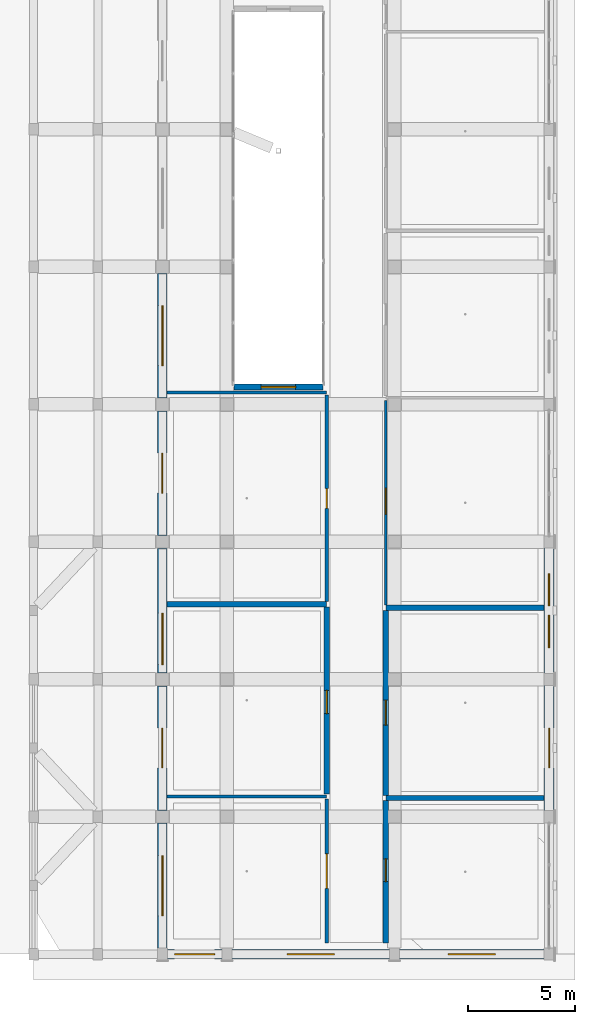
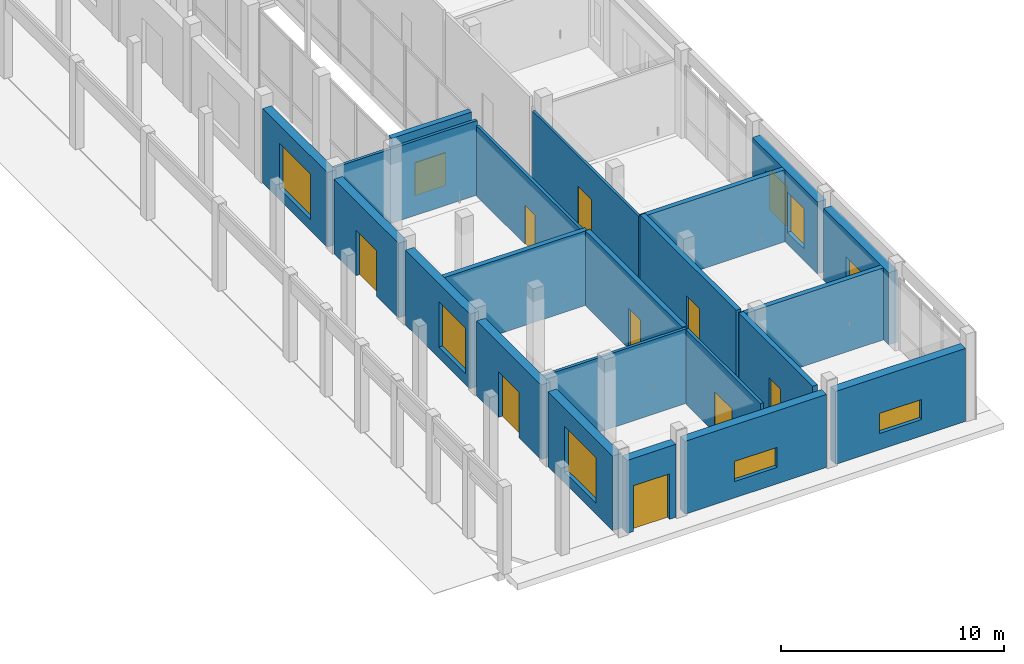
# One storey, part 52 of 88: 22 walls, 10 doors, 8 windows, 18 openings.
"""IFC4 building model written with IfcOpenShell, lengths in metres."""

import ifcopenshell
import ifcopenshell.guid

model = None  # the IFC model being written
_history = None  # IfcOwnerHistory: only IFC2X3 demands one
_inside = {}  # id of a spatial element -> (the spatial element, [elements in it])
_under = {}  # id of a project, library or spatial element -> (it, [spatial elements below it])
_declared = {}  # id of a project -> (the project, [libraries it declares])
_typed = {}  # id of a type object -> (the type object, [elements of that type])
_made_of = {}  # id of a material, layer set ... -> (it, [elements and type objects made of it])


def new_model(schema):
    """Start an empty IFC model of exactly this schema.

    Asked for "IFC4X3", IfcOpenShell would pick the latest addendum, in which some entities
    have other attributes; the version numbers below select the first issue.
    IFC2X3 requires an IfcOwnerHistory on every rooted entity: one is made here for all.
    """
    global model, _history
    if schema == "IFC4X3":
        model = ifcopenshell.file(schema_version=(4, 3, 0, 0))
    else:
        model = ifcopenshell.file(schema=schema)
    _inside.clear()
    _under.clear()
    _declared.clear()
    _typed.clear()
    _made_of.clear()
    _history = None
    if model.schema == "IFC2X3":
        org = make("IfcOrganization", Name="unknown")
        user = make(
            "IfcPersonAndOrganization",
            ThePerson=make("IfcPerson", FamilyName="unknown"),
            TheOrganization=org,
        )
        app = make(
            "IfcApplication",
            ApplicationDeveloper=org,
            Version="unknown",
            ApplicationFullName="unknown",
            ApplicationIdentifier="unknown",
        )
        _history = make(
            "IfcOwnerHistory",
            OwningUser=user,
            OwningApplication=app,
            ChangeAction="ADDED",
            CreationDate=0,
        )
    return model


def make(cls, **values):
    """One entity of the class cls with the attributes given. An attribute that is None is left unset."""
    return model.create_entity(
        cls, **{name: value for name, value in values.items() if value is not None}
    )


def rooted(cls, **values):
    """An entity with a GlobalId (a new one), such as an element, a storey or a relation."""
    return make(cls, GlobalId=ifcopenshell.guid.new(), OwnerHistory=_history, **values)


def si_unit(unit_type, name, prefix=None):
    """IfcSIUnit, for example si_unit("LENGTHUNIT", "METRE", prefix="MILLI")."""
    return make("IfcSIUnit", UnitType=unit_type, Prefix=prefix, Name=name)


def derived_unit(unit_type, elements):
    """IfcDerivedUnit: a product of units, each with its exponent."""
    return make(
        "IfcDerivedUnit",
        Elements=[
            make("IfcDerivedUnitElement", Unit=unit, Exponent=power)
            for unit, power in elements
        ],
        UnitType=unit_type,
    )


def assignment(units):
    """IfcUnitAssignment: the units of a project."""
    return None if units is None else make("IfcUnitAssignment", Units=units)


def point(xyz):
    """IfcCartesianPoint."""
    return None if xyz is None else make("IfcCartesianPoint", Coordinates=xyz)


def direction(xyz):
    """IfcDirection."""
    return None if xyz is None else make("IfcDirection", DirectionRatios=xyz)


def frame(location, z_axis=None, x_axis=None):
    """IfcAxis2Placement3D, a coordinate frame: its origin and axes. An axis left out is left unset."""
    return make(
        "IfcAxis2Placement3D",
        Location=point(location),
        Axis=direction(z_axis),
        RefDirection=direction(x_axis),
    )


def frame_2d(location, x_axis=None):
    """IfcAxis2Placement2D, a coordinate frame in the plane: its origin and x axis."""
    return make(
        "IfcAxis2Placement2D", Location=point(location), RefDirection=direction(x_axis)
    )


def origin():
    """The frame at (0, 0, 0) with its axes left unset."""
    return frame((0.0, 0.0, 0.0))


def origin_with_axes():
    """The frame at (0, 0, 0) with the z axis (0, 0, 1) and the x axis (1, 0, 0) written out."""
    return frame((0.0, 0.0, 0.0), z_axis=(0.0, 0.0, 1.0), x_axis=(1.0, 0.0, 0.0))


def place(relative_to, where):
    """IfcLocalPlacement: puts the frame where relative to a parent placement (None: the world)."""
    return make(
        "IfcLocalPlacement", PlacementRelTo=relative_to, RelativePlacement=where
    )


def context(
    kind, dimensions, precision=None, world=None, true_north=None, identifier=None
):
    """IfcGeometricRepresentationContext, for example the 3D "Model" context."""
    return make(
        "IfcGeometricRepresentationContext",
        ContextIdentifier=identifier,
        ContextType=kind,
        CoordinateSpaceDimension=dimensions,
        Precision=precision,
        WorldCoordinateSystem=world,
        TrueNorth=true_north,
    )


def subcontext(parent, identifier, kind, view, scale=None):
    """IfcGeometricRepresentationSubContext, for example "Body" below "Model"."""
    return make(
        "IfcGeometricRepresentationSubContext",
        ContextIdentifier=identifier,
        ContextType=kind,
        ParentContext=parent,
        TargetScale=scale,
        TargetView=view,
    )


def project(units=None, contexts=None):
    """IfcProject with its units and contexts."""
    return rooted(
        "IfcProject",
        Name="project",
        RepresentationContexts=contexts,
        UnitsInContext=assignment(units),
    )


def spatial(cls, under=None, at=None, **own):
    """A site, building, storey or space (cls), placed at a placement, below another one or the project."""
    s = rooted(cls, ObjectPlacement=at, **own)
    if under is not None:
        _under.setdefault(under.id(), (under, []))[1].append(s)
    return s


def profile(cls, at=None, kind="AREA", **sizes):
    """A parametric profile (cls). Its sizes go by their IFC names, for example OverallWidth=200.0."""
    return make(cls, ProfileType=kind, Position=at, **sizes)


def rectangle(**sizes):
    """IfcRectangleProfileDef."""
    return profile("IfcRectangleProfileDef", **sizes)


def extrude(swept, where, along, depth):
    """IfcExtrudedAreaSolid: the profile swept, set in the frame where, extruded along a direction by depth."""
    return make(
        "IfcExtrudedAreaSolid",
        SweptArea=swept,
        Position=where,
        ExtrudedDirection=direction(along),
        Depth=depth,
    )


def shape(context_of_items, identifier, shape_type, items):
    """IfcShapeRepresentation: the items that make up one representation, for example the "Body"."""
    return make(
        "IfcShapeRepresentation",
        ContextOfItems=context_of_items,
        RepresentationIdentifier=identifier,
        RepresentationType=shape_type,
        Items=items,
    )


def material(Name=None, Category=None):
    """IfcMaterial."""
    return make("IfcMaterial", Name=Name, Category=Category)


def layer(
    of_material, thickness, ventilated=None, Name=None, Category=None, Priority=None
):
    """IfcMaterialLayer: one layer of a wall or slab, of a material (None: an air gap)."""
    return make(
        "IfcMaterialLayer",
        Material=of_material,
        LayerThickness=thickness,
        IsVentilated=ventilated,
        Name=Name,
        Category=Category,
        Priority=Priority,
    )


def layer_set(layers, Name=None):
    """IfcMaterialLayerSet."""
    return make("IfcMaterialLayerSet", MaterialLayers=layers, LayerSetName=Name)


def made_of(thing, what):
    """Note that an element or type object is made of a material, layer set ...; save() writes the relation."""
    if what is not None:
        _made_of.setdefault(what.id(), (what, []))[1].append(thing)
    return thing


def type_object(cls, material=None, **own):
    """A type object (cls), such as IfcWallType, which elements share."""
    return made_of(rooted(cls, **own), material)


def element(
    cls,
    number,
    at=None,
    inside=None,
    cuts=None,
    type_object=None,
    material=None,
    context=None,
    identifier="Body",
    shape_type=None,
    held_by="IfcProductDefinitionShape",
    body=None,
    shapes=None,
    **own,
):
    """One element of the class cls, such as IfcWall. Its Tag is "e" and its number.

    at: its placement. inside: the storey or other place that contains it. cuts: it is an
    opening in that element (IfcRelVoidsElement). A single representation is given by context,
    identifier, shape_type and body (its items); several are given by shapes. held_by: the class
    of the entity that holds the representations. save() writes the other relations.
    """
    e = rooted(cls, Tag="e%d" % number, ObjectPlacement=at, **own)
    if body is not None:
        shapes = [shape(context, identifier, shape_type, body)]
    if shapes is not None:
        e.Representation = make(held_by, Representations=shapes)
    if inside is not None:
        _inside.setdefault(inside.id(), (inside, []))[1].append(e)
    if cuts is not None:
        rooted(
            "IfcRelVoidsElement", RelatingBuildingElement=cuts, RelatedOpeningElement=e
        )
    if type_object is not None:
        _typed.setdefault(type_object.id(), (type_object, []))[1].append(e)
    return made_of(e, material)


def fill(opening, filler):
    """IfcRelFillsElement: the door or window that sits in an opening."""
    return rooted(
        "IfcRelFillsElement",
        RelatingOpeningElement=opening,
        RelatedBuildingElement=filler,
    )


def aggregate(whole, parts):
    """IfcRelAggregates: a whole, such as a stair, and the parts it consists of."""
    return rooted("IfcRelAggregates", RelatingObject=whole, RelatedObjects=parts)


def save(model, path):
    """Write the relations noted so far, then the file.

    IfcRelAggregates (storeys below a building ...), IfcRelContainedInSpatialStructure (elements
    in a storey), IfcRelDefinesByType, IfcRelAssociatesMaterial and IfcRelDeclares: one each for
    every whole, place, type object, material and project.
    """
    for whole, parts in _under.values():
        aggregate(whole, parts)
    for where, things in _inside.values():
        rooted(
            "IfcRelContainedInSpatialStructure",
            RelatedElements=things,
            RelatingStructure=where,
        )
    for kind, things in _typed.values():
        rooted("IfcRelDefinesByType", RelatedObjects=things, RelatingType=kind)
    for what, things in _made_of.values():
        rooted("IfcRelAssociatesMaterial", RelatedObjects=things, RelatingMaterial=what)
    for by, libraries in _declared.values():
        rooted("IfcRelDeclares", RelatingContext=by, RelatedDefinitions=libraries)
    model.write(path)


model = new_model("IFC4")

# Units and contexts
model_context = context("Model", 3, precision=1e-05, world=origin(), true_north=direction((0.0, 1.0)))
body_context = subcontext(model_context, "Body", "Model", "MODEL_VIEW")
ifc_project = project(units=[si_unit("LENGTHUNIT", "METRE"), si_unit("AREAUNIT", "SQUARE_METRE"), si_unit("VOLUMEUNIT", "CUBIC_METRE"), si_unit("PLANEANGLEUNIT", "RADIAN"), si_unit("MASSUNIT", "GRAM", prefix="KILO"), derived_unit("THERMALTRANSMITTANCEUNIT", [(si_unit("POWERUNIT", "WATT"), 1), (si_unit("LENGTHUNIT", "METRE"), -2), (si_unit("THERMODYNAMICTEMPERATUREUNIT", "KELVIN"), -1)])], contexts=[model_context])

# Site, building, storey
site_placement = place(None, origin())
site = spatial("IfcSite", under=ifc_project, at=site_placement, CompositionType="ELEMENT")
building_placement = place(site_placement, origin())
building = spatial("IfcBuilding", under=site, at=building_placement, Name="Braskholm Square Health Centre", CompositionType="ELEMENT")
storey_placement = place(building_placement, origin())
storey = spatial("IfcBuildingStorey", under=building, at=storey_placement, Name="L01", CompositionType="ELEMENT", Elevation=0.0)

# Wall, opening, door
ifc_material_1 = material(Name="Acoustic gypsum board partition")
ifc_layer_1 = layer(ifc_material_1, 0.125)
ifc_layer_set_1 = layer_set([ifc_layer_1], Name="Acoustic gypsum board partition")
wall_type_1 = type_object("IfcWallType", Name="ClinicalExamPartition125", PredefinedType="PARTITIONING", material=ifc_layer_set_1)
wall_1_placement = place(storey_placement, frame((156.199951171875, 20.449951171875, 0.0), z_axis=(0.0, 0.0, 1.0), x_axis=(0.0, 1.0, 0.0)))
wall_1 = element("IfcWall", 1, at=wall_1_placement, inside=storey, type_object=wall_type_1, Name="Interior partition PWALL-L01-0295", PredefinedType="PARTITIONING", context=body_context, shape_type="SweptSolid", body=[
    extrude(rectangle(XDim=9.530029296875, YDim=0.125, at=frame_2d((4.76513671875, 0.0))), origin(), (0.0, 0.0, 1.0), 3.844970703125),
])
opening_1_placement = place(wall_1_placement, frame((4.23095703125, 0.0, 0.0)))
opening_1 = element("IfcOpeningElement", 2, at=opening_1_placement, cuts=wall_1, Name="Opening D-04", PredefinedType="OPENING", context=body_context, shape_type="SweptSolid", body=[
    extrude(rectangle(XDim=1.219970703125, YDim=2.199951171875, at=frame_2d((0.60986328125, 1.10009765625))), frame((0.0, 0.072509765625, 0.0), z_axis=(0.0, -1.0, 0.0), x_axis=(1.0, 0.0, 0.0)), (0.0, 0.0, 1.0), 0.14501953125),
])
ifc_material_2 = material(Name="Architectural bronze anodised aluminium", Category="aluminium")
door_type_1 = type_object("IfcDoorType", Name="DoorBariatricExam1220x2200", OperationType="NOTDEFINED", PredefinedType="DOOR", material=ifc_material_2)
door_1_placement = place(opening_1_placement, frame((1.219970703125, 0.0, 0.0), z_axis=(0.0, 0.0, 1.0), x_axis=(-1.0, 0.0, 0.0)))
door_1 = element("IfcDoor", 3, at=door_1_placement, inside=storey, type_object=door_type_1, Name="Interior door 0137 L01", OperationType="SINGLE_SWING_LEFT", OverallHeight=2.199951171875, OverallWidth=1.219970703125, PredefinedType="DOOR", context=body_context, shape_type="SweptSolid", body=[
    extrude(rectangle(XDim=1.219970703125, YDim=2.199951171875, at=frame_2d((0.60986328125, 1.10009765625))), frame((0.0, 0.02490234375, 0.0), z_axis=(0.0, -1.0, 0.0), x_axis=(1.0, 0.0, 0.0)), (0.0, 0.0, 1.0), 0.050048828125),
])
fill(opening_1, door_1)

ifc_layer_2 = layer(ifc_material_1, 0.14990234375)
ifc_layer_set_2 = layer_set([ifc_layer_2], Name="Acoustic gypsum board partition")
wall_type_2 = type_object("IfcWallType", Name="CorridorAcousticPartition150", PredefinedType="PARTITIONING", material=ifc_layer_set_2)
wall_2_placement = place(storey_placement, frame((153.449951171875, 4.719970703125, 0.0), z_axis=(0.0, 0.0, 1.0), x_axis=(0.0, 1.0, 0.0)))
wall_2 = element("IfcWall", 4, at=wall_2_placement, inside=storey, type_object=wall_type_2, Name="Interior partition PWALL-L01-0317", PredefinedType="PARTITIONING", context=body_context, shape_type="SweptSolid", body=[
    extrude(rectangle(XDim=6.699951171875, YDim=0.14990234375, at=frame_2d((3.35009765625, 0.0))), origin(), (0.0, 0.0, 1.0), 4.094970703125),
])
opening_2_placement = place(wall_2_placement, frame((2.550048828125, 0.0, 0.0)))
opening_2 = element("IfcOpeningElement", 5, at=opening_2_placement, cuts=wall_2, Name="Opening D-11", PredefinedType="OPENING", context=body_context, shape_type="SweptSolid", body=[
    extrude(rectangle(XDim=1.60009765625, YDim=2.25, at=frame_2d((0.800048828125, 1.125))), frame((0.0, 0.0849609375, 0.0), z_axis=(0.0, -1.0, 0.0), x_axis=(1.0, 0.0, 0.0)), (0.0, 0.0, 1.0), 0.169921875),
])
door_type_2 = type_object("IfcDoorType", Name="DoorClassroomDouble1600x2250", OperationType="DOUBLE_DOOR_SINGLE_SWING", PredefinedType="DOOR", material=ifc_material_2)
door_2_placement = place(opening_2_placement, origin_with_axes())
door_2 = element("IfcDoor", 6, at=door_2_placement, inside=storey, type_object=door_type_2, Name="Interior door 0148 L01", OperationType="DOUBLE_DOOR_SINGLE_SWING", OverallHeight=2.25, OverallWidth=1.60009765625, PredefinedType="DOOR", context=body_context, shape_type="SweptSolid", body=[
    extrude(rectangle(XDim=1.60009765625, YDim=2.25, at=frame_2d((0.800048828125, 1.125))), frame((0.0, 0.02490234375, 0.0), z_axis=(0.0, -1.0, 0.0), x_axis=(1.0, 0.0, 0.0)), (0.0, 0.0, 1.0), 0.050048828125),
])
fill(opening_2, door_2)

# Wall
wall_3_placement = place(storey_placement, frame((146.02490234375, 11.5400390625, 0.0), z_axis=(0.0, 0.0, 1.0), x_axis=(1.0, 0.0, 0.0)))
element("IfcWall", 7, at=wall_3_placement, inside=storey, type_object=wall_type_2, Name="Interior partition PWALL-L01-0318", PredefinedType="PARTITIONING", context=body_context, shape_type="SweptSolid", body=[
    extrude(rectangle(XDim=7.425048828125, YDim=0.14990234375, at=frame_2d((3.71240234375, 0.0))), origin(), (0.0, 0.0, 1.0), 4.0849609375),
])

# Wall, opening, door
wall_4_placement = place(storey_placement, frame((153.449951171875, 20.610107421875, 0.0), z_axis=(0.0, 0.0, 1.0), x_axis=(0.0, 1.0, 0.0)))
wall_4 = element("IfcWall", 8, at=wall_4_placement, inside=storey, type_object=wall_type_2, Name="Interior partition PWALL-L01-0321", PredefinedType="PARTITIONING", context=body_context, shape_type="SweptSolid", body=[
    extrude(rectangle(XDim=9.619873046875, YDim=0.14990234375, at=frame_2d((4.81005859375, 0.0))), origin(), (0.0, 0.0, 1.0), 3.844970703125),
])
opening_3_placement = place(wall_4_placement, frame((4.35009765625, 0.0, 0.0)))
opening_3 = element("IfcOpeningElement", 9, at=opening_3_placement, cuts=wall_4, Name="Opening D-01", PredefinedType="OPENING", context=body_context, shape_type="SweptSolid", body=[
    extrude(rectangle(XDim=0.919921875, YDim=2.14990234375, at=frame_2d((0.4599609375, 1.074951171875))), frame((0.0, 0.0849609375, 0.0), z_axis=(0.0, -1.0, 0.0), x_axis=(1.0, 0.0, 0.0)), (0.0, 0.0, 1.0), 0.169921875),
])
door_type_3 = type_object("IfcDoorType", Name="DoorConsultSingle920x2150", OperationType="NOTDEFINED", PredefinedType="DOOR", material=ifc_material_2)
door_3_placement = place(opening_3_placement, origin_with_axes())
door_3 = element("IfcDoor", 10, at=door_3_placement, inside=storey, type_object=door_type_3, Name="Interior door 0150 L01", OperationType="SINGLE_SWING_RIGHT", OverallHeight=2.14990234375, OverallWidth=0.919921875, PredefinedType="DOOR", context=body_context, shape_type="SweptSolid", body=[
    extrude(rectangle(XDim=0.919921875, YDim=2.14990234375, at=frame_2d((0.4599609375, 1.074951171875))), frame((0.0, 0.02490234375, 0.0), z_axis=(0.0, -1.0, 0.0), x_axis=(1.0, 0.0, 0.0)), (0.0, 0.0, 1.0), 0.050048828125),
])
fill(opening_3, door_3)

# Wall
wall_5_placement = place(storey_placement, frame((146.02490234375, 30.35009765625, 0.0), z_axis=(0.0, 0.0, 1.0), x_axis=(1.0, 0.0, 0.0)))
element("IfcWall", 11, at=wall_5_placement, inside=storey, type_object=wall_type_2, Name="Interior partition PWALL-L01-0322", PredefinedType="PARTITIONING", context=body_context, shape_type="SweptSolid", body=[
    extrude(rectangle(XDim=7.425048828125, YDim=0.14990234375, at=frame_2d((3.71240234375, 0.0))), origin(), (0.0, 0.0, 1.0), 4.0849609375),
])

# Wall, opening, door
ifc_material_3 = material(Name="Mankato-Kasota dolomitic limestone ashlar", Category="masonry")
ifc_layer_3 = layer(ifc_material_3, 0.449951171875)
ifc_layer_set_3 = layer_set([ifc_layer_3], Name="Mankato-Kasota dolomitic limestone ashlar")
wall_type_3 = type_object("IfcWallType", Name="ExteriorKasotaWall450", PredefinedType="SOLIDWALL", material=ifc_layer_set_3)
wall_6_placement = place(storey_placement, frame((163.800048828125, 10.882080078125, 0.0), z_axis=(0.0, 0.0, 1.0), x_axis=(0.0, 1.0, 0.0)))
wall_6 = element("IfcWall", 12, at=wall_6_placement, inside=storey, type_object=wall_type_3, Name="Exterior wall EWALL-L01-0052", PredefinedType="SOLIDWALL", context=body_context, shape_type="SweptSolid", body=[
    extrude(rectangle(XDim=5.8359375, YDim=0.449951171875, at=frame_2d((2.91796875, 0.0))), origin(), (0.0, 0.0, 1.0), 3.949951171875),
])
opening_4_placement = place(wall_6_placement, frame((1.988037109375, 0.0, 0.0)))
opening_4 = element("IfcOpeningElement", 13, at=opening_4_placement, cuts=wall_6, Name="Opening D-E2", PredefinedType="OPENING", context=body_context, shape_type="SweptSolid", body=[
    extrude(rectangle(XDim=1.860107421875, YDim=2.5, at=frame_2d((0.93017578125, 1.25))), frame((0.0, 0.23486328125, 0.0), z_axis=(0.0, -1.0, 0.0), x_axis=(1.0, 0.0, 0.0)), (0.0, 0.0, 1.0), 0.469970703125),
])
ifc_material_4 = material(Name="Low-E triple insulating glass (VLT 0.64)", Category="glass")
door_type_4 = type_object("IfcDoorType", Name="DoorSquareEntrancePair1860x2500", OperationType="DOUBLE_DOOR_SINGLE_SWING", PredefinedType="DOOR", material=ifc_material_4)
door_4_placement = place(opening_4_placement, frame((1.860107421875, 0.0, 0.0), z_axis=(0.0, 0.0, 1.0), x_axis=(-1.0, 0.0, 0.0)))
door_4 = element("IfcDoor", 14, at=door_4_placement, inside=storey, type_object=door_type_4, Name="Exterior door 0004 L01", OperationType="DOUBLE_DOOR_SINGLE_SWING", OverallHeight=2.5, OverallWidth=1.860107421875, PredefinedType="DOOR", context=body_context, shape_type="SweptSolid", body=[
    extrude(rectangle(XDim=1.860107421875, YDim=2.5, at=frame_2d((0.93017578125, 1.25))), frame((0.0, 0.02490234375, 0.0), z_axis=(0.0, -1.0, 0.0), x_axis=(1.0, 0.0, 0.0)), (0.0, 0.0, 1.0), 0.050048828125),
])
fill(opening_4, door_4)

# Wall, openings, windows
wall_7_placement = place(storey_placement, frame((163.800048828125, 17.281982421875, 0.0), z_axis=(0.0, 0.0, 1.0), x_axis=(0.0, 1.0, 0.0)))
wall_7 = element("IfcWall", 15, at=wall_7_placement, inside=storey, type_object=wall_type_3, Name="Exterior wall EWALL-L01-0053", PredefinedType="SOLIDWALL", context=body_context, shape_type="SweptSolid", body=[
    extrude(rectangle(XDim=5.8359375, YDim=0.449951171875, at=frame_2d((2.91796875, 0.0))), origin(), (0.0, 0.0, 1.0), 3.949951171875),
])
opening_5_placement = place(wall_7_placement, frame((1.195068359375, 0.0, 0.64990234375)))
opening_5 = element("IfcOpeningElement", 16, at=opening_5_placement, cuts=wall_7, Name="Opening WN-03", PredefinedType="OPENING", context=body_context, shape_type="SweptSolid", body=[
    extrude(rectangle(XDim=1.5, YDim=2.199951171875, at=frame_2d((0.75, 1.10009765625))), frame((0.0, 0.23486328125, 0.0), z_axis=(0.0, -1.0, 0.0), x_axis=(1.0, 0.0, 0.0)), (0.0, 0.0, 1.0), 0.469970703125),
])
opening_6_placement = place(wall_7_placement, frame((3.14111328125, 0.0, 0.64990234375)))
opening_6 = element("IfcOpeningElement", 17, at=opening_6_placement, cuts=wall_7, Name="Opening WN-03", PredefinedType="OPENING", context=body_context, shape_type="SweptSolid", body=[
    extrude(rectangle(XDim=1.5, YDim=2.199951171875, at=frame_2d((0.75, 1.10009765625))), frame((0.0, 0.23486328125, 0.0), z_axis=(0.0, -1.0, 0.0), x_axis=(1.0, 0.0, 0.0)), (0.0, 0.0, 1.0), 0.469970703125),
])
window_type_1 = type_object("IfcWindowType", Name="WinArtDecoTwin1500x2200", PartitioningType="SINGLE_PANEL", PredefinedType="WINDOW", material=ifc_material_4)
window_1_placement = place(opening_5_placement, origin_with_axes())
window_1 = element("IfcWindow", 18, at=window_1_placement, inside=storey, type_object=window_type_1, Name="Exterior window 0091 L01", OverallHeight=2.199951171875, OverallWidth=1.5, PartitioningType="SINGLE_PANEL", PredefinedType="WINDOW", context=body_context, shape_type="SweptSolid", body=[
    extrude(rectangle(XDim=1.5, YDim=2.199951171875, at=frame_2d((0.75, 1.10009765625))), frame((0.0, 0.030029296875, 0.0), z_axis=(0.0, -1.0, 0.0), x_axis=(1.0, 0.0, 0.0)), (0.0, 0.0, 1.0), 0.06005859375),
])
fill(opening_5, window_1)
window_2_placement = place(opening_6_placement, origin_with_axes())
window_2 = element("IfcWindow", 19, at=window_2_placement, inside=storey, type_object=window_type_1, Name="Exterior window 0092 L01", OverallHeight=2.199951171875, OverallWidth=1.5, PartitioningType="SINGLE_PANEL", PredefinedType="WINDOW", context=body_context, shape_type="SweptSolid", body=[
    extrude(rectangle(XDim=1.5, YDim=2.199951171875, at=frame_2d((0.75, 1.10009765625))), frame((0.0, 0.030029296875, 0.0), z_axis=(0.0, -1.0, 0.0), x_axis=(1.0, 0.0, 0.0)), (0.0, 0.0, 1.0), 0.06005859375),
])
fill(opening_6, window_2)

# Wall, opening, window
wall_8_placement = place(storey_placement, frame((145.800048828125, 10.298095703125, 0.0), z_axis=(0.0, 0.0, 1.0), x_axis=(0.0, -1.0, 0.0)))
wall_8 = element("IfcWall", 20, at=wall_8_placement, inside=storey, type_object=wall_type_3, Name="Exterior wall EWALL-L01-0157", PredefinedType="SOLIDWALL", context=body_context, shape_type="SweptSolid", body=[
    extrude(rectangle(XDim=5.816162109375, YDim=0.449951171875, at=frame_2d((2.908203125, 0.0))), origin(), (0.0, 0.0, 1.0), 4.090087890625),
])
opening_7_placement = place(wall_8_placement, frame((1.508056640625, 0.0, 0.60009765625)))
opening_7 = element("IfcOpeningElement", 21, at=opening_7_placement, cuts=wall_8, Name="Opening WN-06", PredefinedType="OPENING", context=body_context, shape_type="SweptSolid", body=[
    extrude(rectangle(XDim=2.800048828125, YDim=2.5, at=frame_2d((1.39990234375, 1.25))), frame((0.0, 0.23486328125, 0.0), z_axis=(0.0, -1.0, 0.0), x_axis=(1.0, 0.0, 0.0)), (0.0, 0.0, 1.0), 0.469970703125),
])
window_type_2 = type_object("IfcWindowType", Name="WinStorefrontWide2800x2500", PartitioningType="SINGLE_PANEL", PredefinedType="WINDOW", material=ifc_material_4)
window_3_placement = place(opening_7_placement, origin_with_axes())
window_3 = element("IfcWindow", 22, at=window_3_placement, inside=storey, type_object=window_type_2, Name="Exterior window 0224 L01", OverallHeight=2.5, OverallWidth=2.800048828125, PartitioningType="SINGLE_PANEL", PredefinedType="WINDOW", context=body_context, shape_type="SweptSolid", body=[
    extrude(rectangle(XDim=2.800048828125, YDim=2.5, at=frame_2d((1.39990234375, 1.25))), frame((0.0, 0.030029296875, 0.0), z_axis=(0.0, -1.0, 0.0), x_axis=(1.0, 0.0, 0.0)), (0.0, 0.0, 1.0), 0.06005859375),
])
fill(opening_7, window_3)

# Wall, opening, door
wall_9_placement = place(storey_placement, frame((145.800048828125, 16.697998046875, 0.0), z_axis=(0.0, 0.0, 1.0), x_axis=(0.0, -1.0, 0.0)))
wall_9 = element("IfcWall", 23, at=wall_9_placement, inside=storey, type_object=wall_type_3, Name="Exterior wall EWALL-L01-0158", PredefinedType="SOLIDWALL", context=body_context, shape_type="SweptSolid", body=[
    extrude(rectangle(XDim=5.7958984375, YDim=0.449951171875, at=frame_2d((2.89794921875, 0.0))), origin(), (0.0, 0.0, 1.0), 4.090087890625),
])
opening_8_placement = place(wall_9_placement, frame((1.968017578125, 0.0, 0.0)))
opening_8 = element("IfcOpeningElement", 24, at=opening_8_placement, cuts=wall_9, Name="Opening D-E2", PredefinedType="OPENING", context=body_context, shape_type="SweptSolid", body=[
    extrude(rectangle(XDim=1.860107421875, YDim=2.5, at=frame_2d((0.93017578125, 1.25))), frame((0.0, 0.23486328125, 0.0), z_axis=(0.0, -1.0, 0.0), x_axis=(1.0, 0.0, 0.0)), (0.0, 0.0, 1.0), 0.469970703125),
])
door_5_placement = place(opening_8_placement, frame((1.860107421875, 0.0, 0.0), z_axis=(0.0, 0.0, 1.0), x_axis=(-1.0, 0.0, 0.0)))
door_5 = element("IfcDoor", 25, at=door_5_placement, inside=storey, type_object=door_type_4, Name="Exterior door 0020 L01", OperationType="DOUBLE_DOOR_SINGLE_SWING", OverallHeight=2.5, OverallWidth=1.860107421875, PredefinedType="DOOR", context=body_context, shape_type="SweptSolid", body=[
    extrude(rectangle(XDim=1.860107421875, YDim=2.5, at=frame_2d((0.93017578125, 1.25))), frame((0.0, 0.02490234375, 0.0), z_axis=(0.0, -1.0, 0.0), x_axis=(1.0, 0.0, 0.0)), (0.0, 0.0, 1.0), 0.050048828125),
])
fill(opening_8, door_5)

# Wall, opening, window
wall_10_placement = place(storey_placement, frame((145.800048828125, 23.097900390625, 0.0), z_axis=(0.0, 0.0, 1.0), x_axis=(0.0, -1.0, 0.0)))
wall_10 = element("IfcWall", 26, at=wall_10_placement, inside=storey, type_object=wall_type_3, Name="Exterior wall EWALL-L01-0159", PredefinedType="SOLIDWALL", context=body_context, shape_type="SweptSolid", body=[
    extrude(rectangle(XDim=5.7958984375, YDim=0.449951171875, at=frame_2d((2.89794921875, 0.0))), origin(), (0.0, 0.0, 1.0), 4.090087890625),
])
opening_9_placement = place(wall_10_placement, frame((3.013916015625, 0.0, 0.60009765625)))
opening_9 = element("IfcOpeningElement", 27, at=opening_9_placement, cuts=wall_10, Name="Opening WN-05", PredefinedType="OPENING", context=body_context, shape_type="SweptSolid", body=[
    extrude(rectangle(XDim=2.39990234375, YDim=2.5, at=frame_2d((1.199951171875, 1.25))), frame((0.0, 0.23486328125, 0.0), z_axis=(0.0, -1.0, 0.0), x_axis=(1.0, 0.0, 0.0)), (0.0, 0.0, 1.0), 0.469970703125),
])
window_type_3 = type_object("IfcWindowType", Name="WinStorefrontSquare2400x2500", PartitioningType="SINGLE_PANEL", PredefinedType="WINDOW", material=ifc_material_4)
window_4_placement = place(opening_9_placement, origin_with_axes())
window_4 = element("IfcWindow", 28, at=window_4_placement, inside=storey, type_object=window_type_3, Name="Exterior window 0225 L01", OverallHeight=2.5, OverallWidth=2.39990234375, PartitioningType="SINGLE_PANEL", PredefinedType="WINDOW", context=body_context, shape_type="SweptSolid", body=[
    extrude(rectangle(XDim=2.39990234375, YDim=2.5, at=frame_2d((1.199951171875, 1.25))), frame((0.0, 0.030029296875, 0.0), z_axis=(0.0, -1.0, 0.0), x_axis=(1.0, 0.0, 0.0)), (0.0, 0.0, 1.0), 0.06005859375),
])
fill(opening_9, window_4)

# Wall, opening, door
wall_11_placement = place(storey_placement, frame((145.800048828125, 29.498046875, 0.0), z_axis=(0.0, 0.0, 1.0), x_axis=(0.0, -1.0, 0.0)))
wall_11 = element("IfcWall", 29, at=wall_11_placement, inside=storey, type_object=wall_type_3, Name="Exterior wall EWALL-L01-0160", PredefinedType="SOLIDWALL", context=body_context, shape_type="SweptSolid", body=[
    extrude(rectangle(XDim=5.796142578125, YDim=0.449951171875, at=frame_2d((2.89794921875, 0.0))), origin(), (0.0, 0.0, 1.0), 4.090087890625),
])
opening_10_placement = place(wall_11_placement, frame((1.968017578125, 0.0, 0.0)))
opening_10 = element("IfcOpeningElement", 30, at=opening_10_placement, cuts=wall_11, Name="Opening D-E2", PredefinedType="OPENING", context=body_context, shape_type="SweptSolid", body=[
    extrude(rectangle(XDim=1.860107421875, YDim=2.5, at=frame_2d((0.93017578125, 1.25))), frame((0.0, 0.23486328125, 0.0), z_axis=(0.0, -1.0, 0.0), x_axis=(1.0, 0.0, 0.0)), (0.0, 0.0, 1.0), 0.469970703125),
])
door_6_placement = place(opening_10_placement, frame((1.860107421875, 0.0, 0.0), z_axis=(0.0, 0.0, 1.0), x_axis=(-1.0, 0.0, 0.0)))
door_6 = element("IfcDoor", 31, at=door_6_placement, inside=storey, type_object=door_type_4, Name="Exterior door 0021 L01", OperationType="DOUBLE_DOOR_SINGLE_SWING", OverallHeight=2.5, OverallWidth=1.860107421875, PredefinedType="DOOR", context=body_context, shape_type="SweptSolid", body=[
    extrude(rectangle(XDim=1.860107421875, YDim=2.5, at=frame_2d((0.93017578125, 1.25))), frame((0.0, 0.02490234375, 0.0), z_axis=(0.0, -1.0, 0.0), x_axis=(1.0, 0.0, 0.0)), (0.0, 0.0, 1.0), 0.050048828125),
])
fill(opening_10, door_6)

# Wall, opening, window
wall_12_placement = place(storey_placement, frame((145.800048828125, 35.89794921875, 0.0), z_axis=(0.0, 0.0, 1.0), x_axis=(0.0, -1.0, 0.0)))
wall_12 = element("IfcWall", 32, at=wall_12_placement, inside=storey, type_object=wall_type_3, Name="Exterior wall EWALL-L01-0161", PredefinedType="SOLIDWALL", context=body_context, shape_type="SweptSolid", body=[
    extrude(rectangle(XDim=5.7958984375, YDim=0.449951171875, at=frame_2d((2.89794921875, 0.0))), origin(), (0.0, 0.0, 1.0), 4.090087890625),
])
opening_11_placement = place(wall_12_placement, frame((1.498046875, 0.0, 0.60009765625)))
opening_11 = element("IfcOpeningElement", 33, at=opening_11_placement, cuts=wall_12, Name="Opening WN-06", PredefinedType="OPENING", context=body_context, shape_type="SweptSolid", body=[
    extrude(rectangle(XDim=2.800048828125, YDim=2.5, at=frame_2d((1.39990234375, 1.25))), frame((0.0, 0.23486328125, 0.0), z_axis=(0.0, -1.0, 0.0), x_axis=(1.0, 0.0, 0.0)), (0.0, 0.0, 1.0), 0.469970703125),
])
window_5_placement = place(opening_11_placement, origin_with_axes())
window_5 = element("IfcWindow", 34, at=window_5_placement, inside=storey, type_object=window_type_2, Name="Exterior window 0226 L01", OverallHeight=2.5, OverallWidth=2.800048828125, PartitioningType="SINGLE_PANEL", PredefinedType="WINDOW", context=body_context, shape_type="SweptSolid", body=[
    extrude(rectangle(XDim=2.800048828125, YDim=2.5, at=frame_2d((1.39990234375, 1.25))), frame((0.0, 0.030029296875, 0.0), z_axis=(0.0, -1.0, 0.0), x_axis=(1.0, 0.0, 0.0)), (0.0, 0.0, 1.0), 0.06005859375),
])
fill(opening_11, window_5)

# Wall, opening, door
wall_13_placement = place(storey_placement, frame((146.031982421875, 4.199951171875, 0.0), z_axis=(0.0, 0.0, 1.0), x_axis=(1.0, 0.0, 0.0)))
wall_13 = element("IfcWall", 35, at=wall_13_placement, inside=storey, type_object=wall_type_3, Name="Exterior wall EWALL-L01-0239", PredefinedType="SOLIDWALL", context=body_context, shape_type="SweptSolid", body=[
    extrude(rectangle(XDim=2.5361328125, YDim=0.449951171875, at=frame_2d((1.26806640625, 0.0))), origin(), (0.0, 0.0, 1.0), 4.0),
])
opening_12_placement = place(wall_13_placement, frame((0.337890625, 0.0, 0.0)))
opening_12 = element("IfcOpeningElement", 36, at=opening_12_placement, cuts=wall_13, Name="Opening D-E2", PredefinedType="OPENING", context=body_context, shape_type="SweptSolid", body=[
    extrude(rectangle(XDim=1.860107421875, YDim=2.5, at=frame_2d((0.93017578125, 1.25))), frame((0.0, 0.23486328125, 0.0), z_axis=(0.0, -1.0, 0.0), x_axis=(1.0, 0.0, 0.0)), (0.0, 0.0, 1.0), 0.469970703125),
])
door_7_placement = place(opening_12_placement, frame((1.860107421875, 0.0, 0.0), z_axis=(0.0, 0.0, 1.0), x_axis=(-1.0, 0.0, 0.0)))
door_7 = element("IfcDoor", 37, at=door_7_placement, inside=storey, type_object=door_type_4, Name="Exterior door 0034 L01", OperationType="DOUBLE_DOOR_SINGLE_SWING", OverallHeight=2.5, OverallWidth=1.860107421875, PredefinedType="DOOR", context=body_context, shape_type="SweptSolid", body=[
    extrude(rectangle(XDim=1.860107421875, YDim=2.5, at=frame_2d((0.93017578125, 1.25))), frame((0.0, 0.02490234375, 0.0), z_axis=(0.0, -1.0, 0.0), x_axis=(1.0, 0.0, 0.0)), (0.0, 0.0, 1.0), 0.050048828125),
])
fill(opening_12, door_7)

# Wall, opening, window
wall_14_placement = place(storey_placement, frame((149.031982421875, 4.199951171875, 0.0), z_axis=(0.0, 0.0, 1.0), x_axis=(1.0, 0.0, 0.0)))
wall_14 = element("IfcWall", 38, at=wall_14_placement, inside=storey, type_object=wall_type_3, Name="Exterior wall EWALL-L01-0240", PredefinedType="SOLIDWALL", context=body_context, shape_type="SweptSolid", body=[
    extrude(rectangle(XDim=7.3359375, YDim=0.449951171875, at=frame_2d((3.66796875, 0.0))), origin(), (0.0, 0.0, 1.0), 4.0),
])
opening_13_placement = place(wall_14_placement, frame((2.568115234375, 0.0, 0.89990234375)))
opening_13 = element("IfcOpeningElement", 39, at=opening_13_placement, cuts=wall_14, Name="Opening WN-28", PredefinedType="OPENING", context=body_context, shape_type="SweptSolid", body=[
    extrude(rectangle(XDim=2.199951171875, YDim=1.10009765625, at=frame_2d((1.10009765625, 0.550048828125))), frame((0.0, 0.23486328125, 0.0), z_axis=(0.0, -1.0, 0.0), x_axis=(1.0, 0.0, 0.0)), (0.0, 0.0, 1.0), 0.469970703125),
])
window_type_4 = type_object("IfcWindowType", Name="WinClerestoryRibbon2200x1100", PartitioningType="SINGLE_PANEL", PredefinedType="WINDOW", material=ifc_material_4)
window_6_placement = place(opening_13_placement, origin_with_axes())
window_6 = element("IfcWindow", 40, at=window_6_placement, inside=storey, type_object=window_type_4, Name="Exterior window 0292 L01", OverallHeight=1.10009765625, OverallWidth=2.199951171875, PartitioningType="SINGLE_PANEL", PredefinedType="WINDOW", context=body_context, shape_type="SweptSolid", body=[
    extrude(rectangle(XDim=2.199951171875, YDim=1.10009765625, at=frame_2d((1.10009765625, 0.550048828125))), frame((0.0, 0.030029296875, 0.0), z_axis=(0.0, -1.0, 0.0), x_axis=(1.0, 0.0, 0.0)), (0.0, 0.0, 1.0), 0.06005859375),
])
fill(opening_13, window_6)

wall_15_placement = place(storey_placement, frame((156.83203125, 4.199951171875, 0.0), z_axis=(0.0, 0.0, 1.0), x_axis=(1.0, 0.0, 0.0)))
wall_15 = element("IfcWall", 41, at=wall_15_placement, inside=storey, type_object=wall_type_3, Name="Exterior wall EWALL-L01-0241", PredefinedType="SOLIDWALL", context=body_context, shape_type="SweptSolid", body=[
    extrude(rectangle(XDim=6.736083984375, YDim=0.449951171875, at=frame_2d((3.3681640625, 0.0))), origin(), (0.0, 0.0, 1.0), 4.0),
])
opening_14_placement = place(wall_15_placement, frame((2.26806640625, 0.0, 0.89990234375)))
opening_14 = element("IfcOpeningElement", 42, at=opening_14_placement, cuts=wall_15, Name="Opening WN-28", PredefinedType="OPENING", context=body_context, shape_type="SweptSolid", body=[
    extrude(rectangle(XDim=2.199951171875, YDim=1.10009765625, at=frame_2d((1.10009765625, 0.550048828125))), frame((0.0, 0.23486328125, 0.0), z_axis=(0.0, -1.0, 0.0), x_axis=(1.0, 0.0, 0.0)), (0.0, 0.0, 1.0), 0.469970703125),
])
window_7_placement = place(opening_14_placement, origin_with_axes())
window_7 = element("IfcWindow", 43, at=window_7_placement, inside=storey, type_object=window_type_4, Name="Exterior window 0293 L01", OverallHeight=1.10009765625, OverallWidth=2.199951171875, PartitioningType="SINGLE_PANEL", PredefinedType="WINDOW", context=body_context, shape_type="SweptSolid", body=[
    extrude(rectangle(XDim=2.199951171875, YDim=1.10009765625, at=frame_2d((1.10009765625, 0.550048828125))), frame((0.0, 0.030029296875, 0.0), z_axis=(0.0, -1.0, 0.0), x_axis=(1.0, 0.0, 0.0)), (0.0, 0.0, 1.0), 0.06005859375),
])
fill(opening_14, window_7)

ifc_material_5 = material(Name="Precast concrete C40/50 architectural white", Category="concrete")
ifc_layer_4 = layer(ifc_material_5, 0.280029296875)
ifc_layer_set_4 = layer_set([ifc_layer_4], Name="Precast concrete C40/50 architectural white")
wall_type_4 = type_object("IfcWallType", Name="ExteriorPrecastSpandrelWall280", PredefinedType="SOLIDWALL", material=ifc_layer_set_4)
wall_16_placement = place(storey_placement, frame((153.26611328125, 30.60009765625, 0.0), z_axis=(0.0, 0.0, 1.0), x_axis=(-1.0, 0.0, 0.0)))
wall_16 = element("IfcWall", 44, at=wall_16_placement, inside=storey, type_object=wall_type_4, Name="Exterior wall EWALL-L01-0307", PredefinedType="SOLIDWALL", context=body_context, shape_type="SweptSolid", body=[
    extrude(rectangle(XDim=4.132080078125, YDim=0.280029296875, at=frame_2d((2.06591796875, 0.0))), origin(), (0.0, 0.0, 1.0), 4.5),
])
opening_15_placement = place(wall_16_placement, frame((1.26611328125, 0.0, 0.85009765625)))
opening_15 = element("IfcOpeningElement", 45, at=opening_15_placement, cuts=wall_16, Name="Opening WN-27", PredefinedType="OPENING", context=body_context, shape_type="SweptSolid", body=[
    extrude(rectangle(XDim=1.60009765625, YDim=1.800048828125, at=frame_2d((0.800048828125, 0.89990234375))), frame((0.0, 0.14990234375, 0.0), z_axis=(0.0, -1.0, 0.0), x_axis=(1.0, 0.0, 0.0)), (0.0, 0.0, 1.0), 0.300048828125),
])
window_type_5 = type_object("IfcWindowType", Name="WinLightCourt1600x1800", PartitioningType="SINGLE_PANEL", PredefinedType="WINDOW", material=ifc_material_4)
window_8_placement = place(opening_15_placement, origin_with_axes())
window_8 = element("IfcWindow", 46, at=window_8_placement, inside=storey, type_object=window_type_5, Name="Exterior window 0353 L01", OverallHeight=1.800048828125, OverallWidth=1.60009765625, PartitioningType="SINGLE_PANEL", PredefinedType="WINDOW", context=body_context, shape_type="SweptSolid", body=[
    extrude(rectangle(XDim=1.60009765625, YDim=1.800048828125, at=frame_2d((0.800048828125, 0.89990234375))), frame((0.0, 0.030029296875, 0.0), z_axis=(0.0, -1.0, 0.0), x_axis=(1.0, 0.0, 0.0)), (0.0, 0.0, 1.0), 0.06005859375),
])
fill(opening_15, window_8)

# Wall, opening, door
ifc_material_6 = material(Name="Concrete C35/45 (f'c = 35 MPa)", Category="concrete")
ifc_layer_5 = layer(ifc_material_6, 0.25)
ifc_layer_set_5 = layer_set([ifc_layer_5], Name="Concrete C35/45 (f'c = 35 MPa)")
wall_type_5 = type_object("IfcWallType", Name="FireBarrierWall250", PredefinedType="SOLIDWALL", material=ifc_layer_set_5)
wall_17_placement = place(storey_placement, frame((156.199951171875, 4.719970703125, 0.0), z_axis=(0.0, 0.0, 1.0), x_axis=(0.0, 1.0, 0.0)))
wall_17 = element("IfcWall", 47, at=wall_17_placement, inside=storey, type_object=wall_type_5, Name="Interior partition PWALL-L01-0291", PredefinedType="SOLIDWALL", context=body_context, shape_type="SweptSolid", body=[
    extrude(rectangle(XDim=6.630126953125, YDim=0.25, at=frame_2d((3.31494140625, 0.0))), origin(), (0.0, 0.0, 1.0), 4.094970703125),
])
opening_16_placement = place(wall_17_placement, frame((2.862060546875, 0.0, 0.0)))
opening_16 = element("IfcOpeningElement", 48, at=opening_16_placement, cuts=wall_17, Name="Opening D-18", PredefinedType="OPENING", context=body_context, shape_type="SweptSolid", body=[
    extrude(rectangle(XDim=1.06005859375, YDim=2.199951171875, at=frame_2d((0.530029296875, 1.10009765625))), frame((0.0, 0.135009765625, 0.0), z_axis=(0.0, -1.0, 0.0), x_axis=(1.0, 0.0, 0.0)), (0.0, 0.0, 1.0), 0.27001953125),
])
door_type_5 = type_object("IfcDoorType", Name="DoorFirePartitionSingle1060x2200", OperationType="NOTDEFINED", PredefinedType="DOOR", material=ifc_material_2)
door_8_placement = place(opening_16_placement, frame((1.06005859375, 0.0, 0.0), z_axis=(0.0, 0.0, 1.0), x_axis=(-1.0, 0.0, 0.0)))
door_8 = element("IfcDoor", 49, at=door_8_placement, inside=storey, type_object=door_type_5, Name="Interior door 0135 L01", OperationType="SINGLE_SWING_RIGHT", OverallHeight=2.199951171875, OverallWidth=1.06005859375, PredefinedType="DOOR", context=body_context, shape_type="SweptSolid", body=[
    extrude(rectangle(XDim=1.06005859375, YDim=2.199951171875, at=frame_2d((0.530029296875, 1.10009765625))), frame((0.0, 0.02490234375, 0.0), z_axis=(0.0, -1.0, 0.0), x_axis=(1.0, 0.0, 0.0)), (0.0, 0.0, 1.0), 0.050048828125),
])
fill(opening_16, door_8)

# Wall
wall_18_placement = place(storey_placement, frame((156.199951171875, 11.469970703125, 0.0), z_axis=(0.0, 0.0, 1.0), x_axis=(1.0, 0.0, 0.0)))
element("IfcWall", 50, at=wall_18_placement, inside=storey, type_object=wall_type_5, Name="Interior partition PWALL-L01-0292", PredefinedType="SOLIDWALL", context=body_context, shape_type="SweptSolid", body=[
    extrude(rectangle(XDim=7.375, YDim=0.25, at=frame_2d((3.6875, 0.0))), origin(), (0.0, 0.0, 1.0), 3.945068359375),
])

# Wall, opening, door
wall_19_placement = place(storey_placement, frame((156.199951171875, 11.590087890625, 0.0), z_axis=(0.0, 0.0, 1.0), x_axis=(0.0, 1.0, 0.0)))
wall_19 = element("IfcWall", 51, at=wall_19_placement, inside=storey, type_object=wall_type_5, Name="Interior partition PWALL-L01-0293", PredefinedType="SOLIDWALL", context=body_context, shape_type="SweptSolid", body=[
    extrude(rectangle(XDim=8.619873046875, YDim=0.25, at=frame_2d((4.31005859375, 0.0))), origin(), (0.0, 0.0, 1.0), 4.094970703125),
])
opening_17_placement = place(wall_19_placement, frame((3.277099609375, 0.0, 0.0)))
opening_17 = element("IfcOpeningElement", 52, at=opening_17_placement, cuts=wall_19, Name="Opening D-14", PredefinedType="OPENING", context=body_context, shape_type="SweptSolid", body=[
    extrude(rectangle(XDim=1.159912109375, YDim=2.199951171875, at=frame_2d((0.580078125, 1.10009765625))), frame((0.0, 0.135009765625, 0.0), z_axis=(0.0, -1.0, 0.0), x_axis=(1.0, 0.0, 0.0)), (0.0, 0.0, 1.0), 0.27001953125),
])
door_type_6 = type_object("IfcDoorType", Name="DoorCleanroomAirlock1160x2200", OperationType="SLIDING_TO_LEFT", PredefinedType="DOOR", material=ifc_material_2)
door_9_placement = place(opening_17_placement, frame((1.159912109375, 0.0, 0.0), z_axis=(0.0, 0.0, 1.0), x_axis=(-1.0, 0.0, 0.0)))
door_9 = element("IfcDoor", 53, at=door_9_placement, inside=storey, type_object=door_type_6, Name="Interior door 0136 L01", OperationType="SLIDING_TO_LEFT", OverallHeight=2.199951171875, OverallWidth=1.159912109375, PredefinedType="DOOR", context=body_context, shape_type="SweptSolid", body=[
    extrude(rectangle(XDim=1.159912109375, YDim=2.199951171875, at=frame_2d((0.580078125, 1.10009765625))), frame((0.0, 0.02490234375, 0.0), z_axis=(0.0, -1.0, 0.0), x_axis=(1.0, 0.0, 0.0)), (0.0, 0.0, 1.0), 0.050048828125),
])
fill(opening_17, door_9)

# Wall
wall_20_placement = place(storey_placement, frame((156.199951171875, 20.330078125, 0.0), z_axis=(0.0, 0.0, 1.0), x_axis=(1.0, 0.0, 0.0)))
element("IfcWall", 54, at=wall_20_placement, inside=storey, type_object=wall_type_5, Name="Interior partition PWALL-L01-0294", PredefinedType="SOLIDWALL", context=body_context, shape_type="SweptSolid", body=[
    extrude(rectangle(XDim=7.375, YDim=0.25, at=frame_2d((3.6875, 0.0))), origin(), (0.0, 0.0, 1.0), 3.945068359375),
])

# Wall, opening, door
wall_21_placement = place(storey_placement, frame((153.449951171875, 11.659912109375, 0.0), z_axis=(0.0, 0.0, 1.0), x_axis=(0.0, 1.0, 0.0)))
wall_21 = element("IfcWall", 55, at=wall_21_placement, inside=storey, type_object=wall_type_5, Name="Interior partition PWALL-L01-0319", PredefinedType="SOLIDWALL", context=body_context, shape_type="SweptSolid", body=[
    extrude(rectangle(XDim=8.710205078125, YDim=0.25, at=frame_2d((4.35498046875, 0.0))), origin(), (0.0, 0.0, 1.0), 4.094970703125),
])
opening_18_placement = place(wall_21_placement, frame((3.739013671875, 0.0, 0.0)))
opening_18 = element("IfcOpeningElement", 56, at=opening_18_placement, cuts=wall_21, Name="Opening D-13", PredefinedType="OPENING", context=body_context, shape_type="SweptSolid", body=[
    extrude(rectangle(XDim=1.080078125, YDim=2.199951171875, at=frame_2d((0.5400390625, 1.10009765625))), frame((0.0, 0.135009765625, 0.0), z_axis=(0.0, -1.0, 0.0), x_axis=(1.0, 0.0, 0.0)), (0.0, 0.0, 1.0), 0.27001953125),
])
door_type_7 = type_object("IfcDoorType", Name="DoorPharmacySecure1080x2200", OperationType="NOTDEFINED", PredefinedType="DOOR", material=ifc_material_2)
door_10_placement = place(opening_18_placement, origin_with_axes())
door_10 = element("IfcDoor", 57, at=door_10_placement, inside=storey, type_object=door_type_7, Name="Interior door 0149 L01", OperationType="SINGLE_SWING_LEFT", OverallHeight=2.199951171875, OverallWidth=1.080078125, PredefinedType="DOOR", context=body_context, shape_type="SweptSolid", body=[
    extrude(rectangle(XDim=1.080078125, YDim=2.199951171875, at=frame_2d((0.5400390625, 1.10009765625))), frame((0.0, 0.02490234375, 0.0), z_axis=(0.0, -1.0, 0.0), x_axis=(1.0, 0.0, 0.0)), (0.0, 0.0, 1.0), 0.050048828125),
])
fill(opening_18, door_10)

# Wall
wall_22_placement = place(storey_placement, frame((146.02490234375, 20.489990234375, 0.0), z_axis=(0.0, 0.0, 1.0), x_axis=(1.0, 0.0, 0.0)))
element("IfcWall", 58, at=wall_22_placement, inside=storey, type_object=wall_type_5, Name="Interior partition PWALL-L01-0320", PredefinedType="SOLIDWALL", context=body_context, shape_type="SweptSolid", body=[
    extrude(rectangle(XDim=7.425048828125, YDim=0.25, at=frame_2d((3.71240234375, 0.0))), origin(), (0.0, 0.0, 1.0), 4.0849609375),
])

save(model, "model.ifc")
